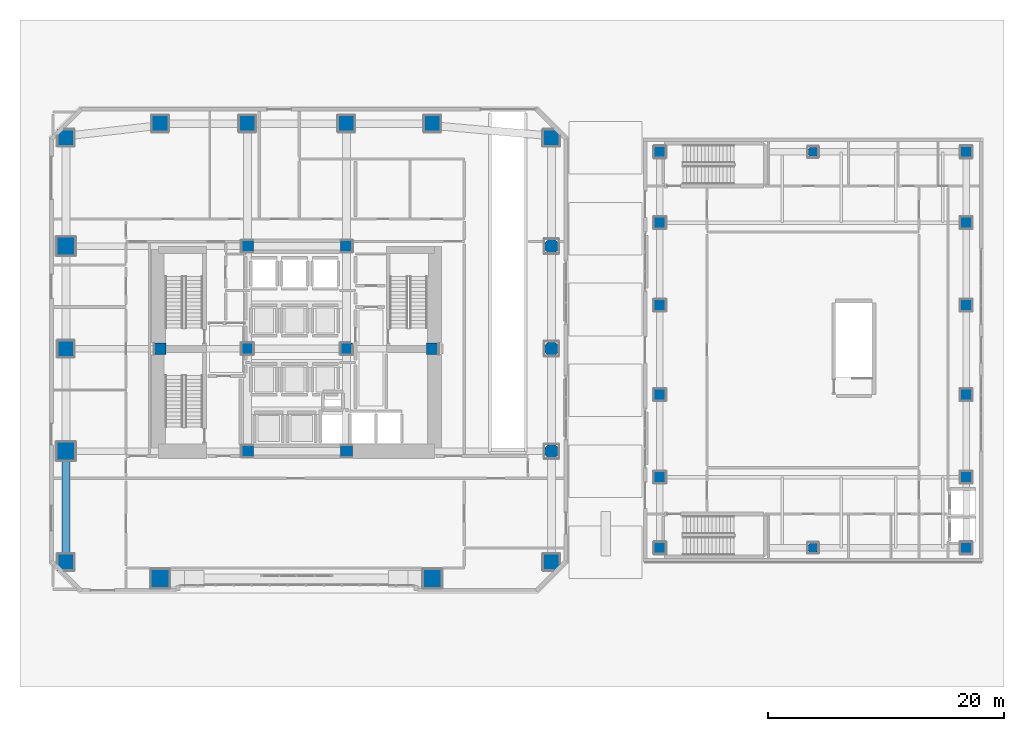
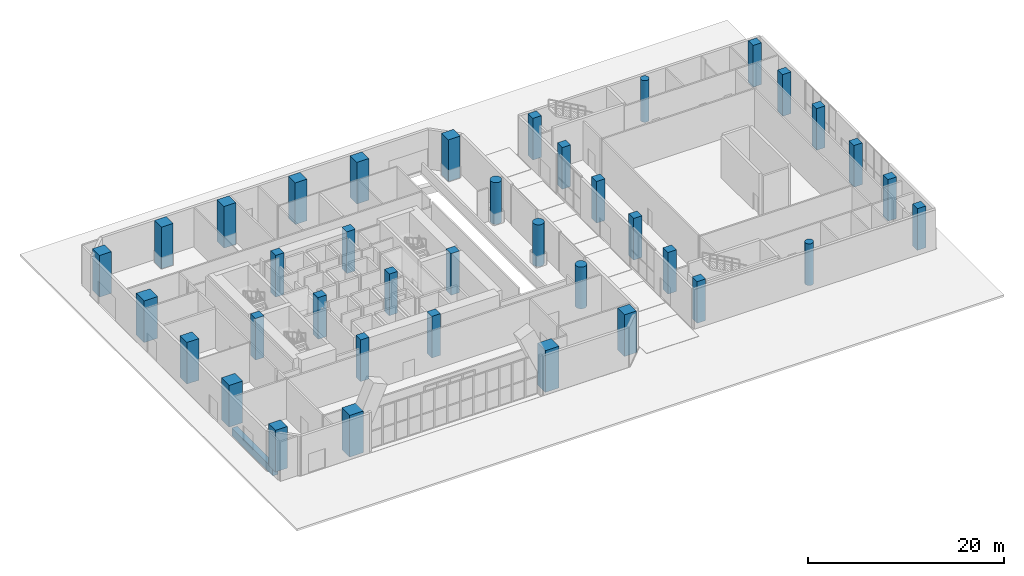
# One storey, part 1 of 30: 38 columns, 1 beam.
"""IFC4 building model written with IfcOpenShell, lengths in metres."""

from ifc_helpers import new_model, si_unit, direction, frame, origin, origin_2d, place, context, subcontext, project, spatial, rectangle, circle, extrude, material, material_profile, profile_set, type_object, element, save


model = new_model("IFC4")

# Units and contexts
model_context = context("Model", 3, precision=1e-05, world=origin(), true_north=direction((0.0, 1.0)))
body_context = subcontext(model_context, "Body", "Model", "MODEL_VIEW")
ifc_project = project(units=[si_unit("LENGTHUNIT", "METRE"), si_unit("AREAUNIT", "SQUARE_METRE"), si_unit("VOLUMEUNIT", "CUBIC_METRE"), si_unit("PLANEANGLEUNIT", "RADIAN"), si_unit("MASSUNIT", "GRAM", prefix="KILO")], contexts=[model_context])

# Site, building, storey
site_placement = place(None, origin())
site = spatial("IfcSite", under=ifc_project, at=site_placement, CompositionType="ELEMENT")
building_placement = place(site_placement, origin())
building = spatial("IfcBuilding", under=site, at=building_placement, Name="Solanera Arch Residences", CompositionType="ELEMENT")
storey_placement = place(building_placement, origin())
storey = spatial("IfcBuildingStorey", under=building, at=storey_placement, Name="L00", CompositionType="ELEMENT", Elevation=0.0)

# Columns
ifc_material_1 = material(Name="Concrete C55/67 (f'c = 60 MPa)", Category="concrete")
ifc_material_profile_1 = material_profile(ifc_material_1, rectangle(XDim=1.0, YDim=1.0, at=origin_2d()))
ifc_profile_set_1 = profile_set([ifc_material_profile_1], Name="Concrete C55/67 (f'c = 60 MPa)")
column_type_1 = type_object("IfcColumnType", Name="Structural Column RC-COL-1000X1000", PredefinedType="COLUMN", material=ifc_profile_set_1)
for number, where, z_axis, x_axis, name in (
    (1, (20.800048828125, 22.0, 0.0), (0.0, 0.0, 1.0), (1.0, 0.0, 0.0), "COL-L00-CB-SW"),
    (2, (29.199951171875, 22.0, 0.0), (0.0, 0.0, 1.0), (1.0, 0.0, 0.0), "COL-L00-CB-SE"),
    (3, (20.800048828125, 39.39990234375, 0.0), (0.0, 0.0, 1.0), (1.0, 0.0, 0.0), "COL-L00-CB-NW"),
    (4, (29.199951171875, 39.39990234375, 0.0), (0.0, 0.0, 1.0), (1.0, 0.0, 0.0), "COL-L00-CB-NE"),
    (5, (13.39990234375, 30.699951171875, 0.0), (0.0, 0.0, 1.0), (1.0, 0.0, 0.0), "COL-L00-CB-WW"),
    (6, (36.5, 30.699951171875, 0.0), (0.0, 0.0, 1.0), (1.0, 0.0, 0.0), "COL-L00-CB-EE"),
    (7, (20.800048828125, 30.699951171875, 0.0), (0.0, 0.0, 1.0), (1.0, 0.0, 0.0), "COL-L00-CORE-W"),
    (8, (29.199951171875, 30.699951171875, 0.0), (0.0, 0.0, 1.0), (1.0, 0.0, 0.0), "COL-L00-CORE-E"),
    (9, (55.800048828125, 13.800048828125, 0.0), (0.0, 0.0, 1.0), (1.0, 0.0, 0.0), "COL-L00-HALL-01"),
    (10, (55.800048828125, 19.800048828125, 0.0), (0.0, 0.0, 1.0), (1.0, 0.0, 0.0), "COL-L00-HALL-02"),
    (11, (55.800048828125, 26.800048828125, 0.0), (0.0, 0.0, 1.0), (1.0, 0.0, 0.0), "COL-L00-HALL-03"),
    (12, (55.800048828125, 34.39990234375, 0.0), (0.0, 0.0, 1.0), (1.0, 0.0, 0.0), "COL-L00-HALL-04"),
    (13, (55.800048828125, 41.39990234375, 0.0), (0.0, 0.0, 1.0), (1.0, 0.0, 0.0), "COL-L00-HALL-05"),
    (14, (55.800048828125, 47.39990234375, 0.0), (0.0, 0.0, 1.0), (1.0, 0.0, 0.0), "COL-L00-HALL-06"),
    (15, (81.800048828125, 13.800048828125, 0.0), (0.0, 0.0, 1.0), (1.0, 0.0, 0.0), "COL-L00-HALL-07"),
    (16, (81.800048828125, 19.800048828125, 0.0), (0.0, 0.0, 1.0), (1.0, 0.0, 0.0), "COL-L00-HALL-08"),
    (17, (81.800048828125, 26.800048828125, 0.0), (0.0, 0.0, 1.0), (1.0, 0.0, 0.0), "COL-L00-HALL-09"),
    (18, (81.800048828125, 34.39990234375, 0.0), (0.0, 0.0, 1.0), (1.0, 0.0, 0.0), "COL-L00-HALL-10"),
    (19, (81.800048828125, 41.39990234375, 0.0), (0.0, 0.0, 1.0), (1.0, 0.0, 0.0), "COL-L00-HALL-11"),
    (20, (81.800048828125, 47.39990234375, 0.0), (0.0, 0.0, 1.0), (1.0, 0.0, 0.0), "COL-L00-HALL-12"),
):
    element("IfcColumn", number, at=place(storey_placement, frame(where, z_axis=z_axis, x_axis=x_axis)), inside=storey, type_object=column_type_1, Name=name, PredefinedType="COLUMN", context=body_context, shape_type="SweptSolid", body=[
        extrude(rectangle(XDim=1.0, YDim=1.0, at=origin_2d()), origin(), (0.0, 0.0, 1.0), 5.199951171875),
    ])
ifc_material_2 = material(Name="Concrete C55/67 (f'c = 60 MPa)", Category="concrete")
ifc_material_profile_2 = material_profile(ifc_material_2, rectangle(XDim=1.39990234375, YDim=1.39990234375, at=origin_2d()))
ifc_profile_set_2 = profile_set([ifc_material_profile_2], Name="Concrete C55/67 (f'c = 60 MPa)")
column_type_2 = type_object("IfcColumnType", Name="Structural Column RC-COL-1400X1400", PredefinedType="COLUMN", material=ifc_profile_set_2)
for number, where, z_axis, x_axis, name in (
    (21, (13.39990234375, 49.800048828125, 0.0), (0.0, 0.0, 1.0), (1.0, 0.0, 0.0), "COL-L00-POD-03"),
    (22, (20.800048828125, 49.800048828125, 0.0), (0.0, 0.0, 1.0), (1.0, 0.0, 0.0), "COL-L00-POD-04"),
    (23, (29.199951171875, 49.800048828125, 0.0), (0.0, 0.0, 1.0), (1.0, 0.0, 0.0), "COL-L00-POD-05"),
    (24, (36.5, 49.800048828125, 0.0), (0.0, 0.0, 1.0), (1.0, 0.0, 0.0), "COL-L00-POD-06"),
    (25, (5.39990234375, 30.699951171875, 0.0), (0.0, 0.0, 1.0), (1.0, 0.0, 0.0), "COL-L00-POD-08"),
    (26, (5.39990234375, 12.60009765625, 0.0), (0.0, 0.0, 1.0), (1.0, 0.0, 0.0), "COL-L00-POD-13"),
    (27, (46.60009765625, 12.60009765625, 0.0), (0.0, 0.0, 1.0), (1.0, 0.0, 0.0), "COL-L00-POD-14"),
    (28, (5.39990234375, 48.60009765625, 0.0), (0.0, 0.0, 1.0), (1.0, 0.0, 0.0), "COL-L00-POD-15"),
    (29, (46.60009765625, 48.60009765625, 0.0), (0.0, 0.0, 1.0), (1.0, 0.0, 0.0), "COL-L00-POD-16"),
):
    element("IfcColumn", number, at=place(storey_placement, frame(where, z_axis=z_axis, x_axis=x_axis)), inside=storey, type_object=column_type_2, Name=name, PredefinedType="COLUMN", context=body_context, shape_type="SweptSolid", body=[
        extrude(rectangle(XDim=1.39990234375, YDim=1.39990234375, at=origin_2d()), origin(), (0.0, 0.0, 1.0), 5.199951171875),
    ])
ifc_material_3 = material(Name="Concrete C55/67 (f'c = 60 MPa)", Category="concrete")
ifc_material_profile_3 = material_profile(ifc_material_3, rectangle(XDim=1.60009765625, YDim=1.60009765625, at=origin_2d()))
ifc_profile_set_3 = profile_set([ifc_material_profile_3], Name="Concrete C55/67 (f'c = 60 MPa)")
column_type_3 = type_object("IfcColumnType", Name="Structural Column RC-COL-1600X1600", PredefinedType="COLUMN", material=ifc_profile_set_3)
for number, where, z_axis, x_axis, name in (
    (30, (13.39990234375, 11.199951171875, 0.0), (0.0, 0.0, 1.0), (1.0, 0.0, 0.0), "COL-L00-POD-01"),
    (31, (36.5, 11.199951171875, 0.0), (0.0, 0.0, 1.0), (1.0, 0.0, 0.0), "COL-L00-POD-02"),
    (32, (5.39990234375, 22.0, 0.0), (0.0, 0.0, 1.0), (1.0, 0.0, 0.0), "COL-L00-POD-07"),
    (33, (5.39990234375, 39.39990234375, 0.0), (0.0, 0.0, 1.0), (1.0, 0.0, 0.0), "COL-L00-POD-09"),
):
    element("IfcColumn", number, at=place(storey_placement, frame(where, z_axis=z_axis, x_axis=x_axis)), inside=storey, type_object=column_type_3, Name=name, PredefinedType="COLUMN", context=body_context, shape_type="SweptSolid", body=[
        extrude(rectangle(XDim=1.60009765625, YDim=1.60009765625, at=origin_2d()), origin(), (0.0, 0.0, 1.0), 5.199951171875),
    ])
ifc_material_4 = material(Name="Concrete C55/67 (f'c = 60 MPa)", Category="concrete")
ifc_material_profile_4 = material_profile(ifc_material_4, circle(Radius=0.60009765625, at=origin_2d()))
ifc_profile_set_4 = profile_set([ifc_material_profile_4], Name="Concrete C55/67 (f'c = 60 MPa)")
column_type_4 = type_object("IfcColumnType", Name="Structural Column RC-COL-D1200", PredefinedType="COLUMN", material=ifc_profile_set_4)
for number, where, z_axis, x_axis, name in (
    (34, (46.60009765625, 22.0, 0.0), (0.0, 0.0, 1.0), (1.0, 0.0, 0.0), "COL-L00-POD-10"),
    (35, (46.60009765625, 30.699951171875, 0.0), (0.0, 0.0, 1.0), (1.0, 0.0, 0.0), "COL-L00-POD-11"),
    (36, (46.60009765625, 39.39990234375, 0.0), (0.0, 0.0, 1.0), (1.0, 0.0, 0.0), "COL-L00-POD-12"),
):
    element("IfcColumn", number, at=place(storey_placement, frame(where, z_axis=z_axis, x_axis=x_axis)), inside=storey, type_object=column_type_4, Name=name, PredefinedType="COLUMN", context=body_context, shape_type="SweptSolid", body=[
        extrude(circle(Radius=0.60009765625, at=origin_2d()), origin(), (0.0, 0.0, 1.0), 5.199951171875),
    ])
ifc_material_5 = material(Name="Concrete C40/50 (f'c = 45 MPa)", Category="concrete")
ifc_material_profile_5 = material_profile(ifc_material_5, circle(Radius=0.449951171875, at=origin_2d()))
ifc_profile_set_5 = profile_set([ifc_material_profile_5], Name="Concrete C40/50 (f'c = 45 MPa)")
column_type_5 = type_object("IfcColumnType", Name="Structural Column RC-COL-D900", PredefinedType="COLUMN", material=ifc_profile_set_5)
for number, where, z_axis, x_axis, name in (
    (37, (68.800048828125, 13.800048828125, 0.0), (0.0, 0.0, 1.0), (1.0, 0.0, 0.0), "COL-L00-HALL-13"),
    (38, (68.800048828125, 47.39990234375, 0.0), (0.0, 0.0, 1.0), (1.0, 0.0, 0.0), "COL-L00-HALL-14"),
):
    element("IfcColumn", number, at=place(storey_placement, frame(where, z_axis=z_axis, x_axis=x_axis)), inside=storey, type_object=column_type_5, Name=name, PredefinedType="COLUMN", context=body_context, shape_type="SweptSolid", body=[
        extrude(circle(Radius=0.449951171875, at=origin_2d()), origin(), (0.0, 0.0, 1.0), 5.199951171875),
    ])

# Beam
ifc_material_6 = material(Name="Concrete C40/50 (f'c = 45 MPa)", Category="concrete")
ifc_material_profile_6 = material_profile(ifc_material_6, rectangle(XDim=0.64990234375, YDim=0.949951171875, at=origin_2d()))
ifc_profile_set_6 = profile_set([ifc_material_profile_6], Name="Concrete C40/50 (f'c = 45 MPa)")
beam_type = type_object("IfcBeamType", Name="Primary Beam RC-BM-650X950", PredefinedType="BEAM", material=ifc_profile_set_6)
beam_placement = place(storey_placement, frame((5.39990234375, 13.139892578125, -0.89501953125), z_axis=(0.0, 1.0, 0.0), x_axis=(-1.0, 0.0, 0.0)))
element("IfcBeam", 39, at=beam_placement, inside=storey, type_object=beam_type, Name="BM-L00-POD-W1", PredefinedType="BEAM", context=body_context, shape_type="SweptSolid", body=[
    extrude(rectangle(XDim=0.64990234375, YDim=0.949951171875, at=origin_2d()), origin(), (0.0, 0.0, 1.0), 8.320068359375),
])

save(model, "model.ifc")
